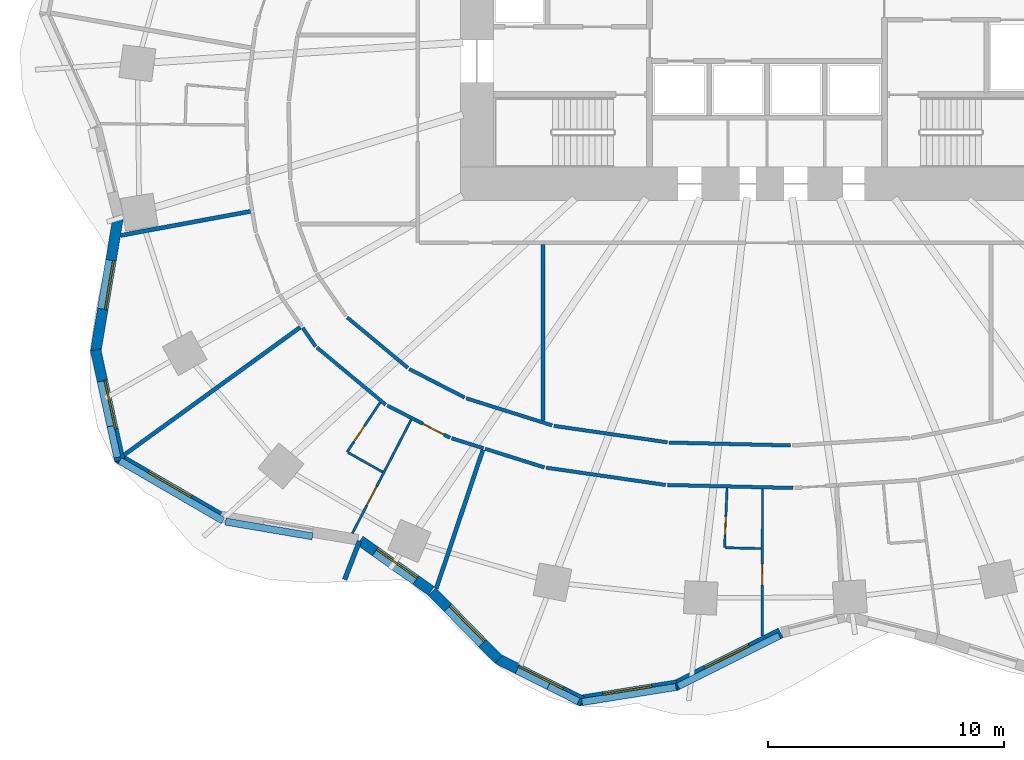
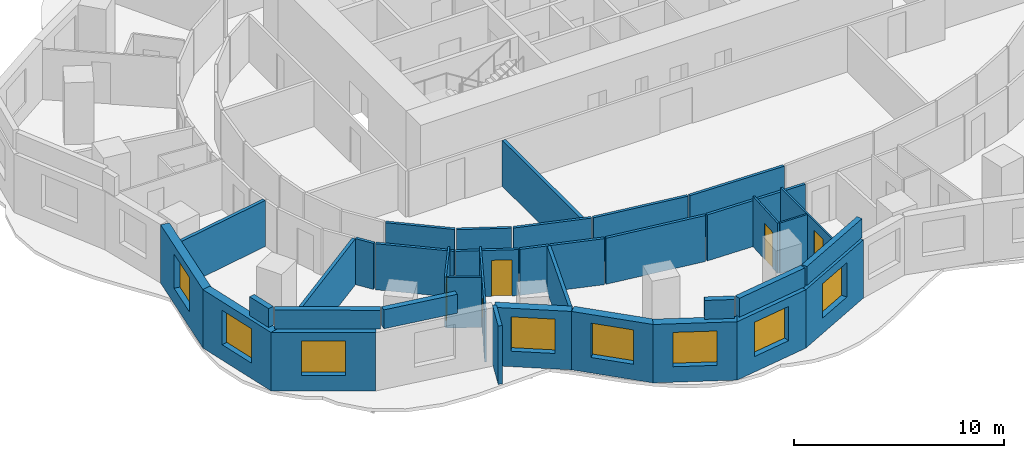
# One storey, part 3 of 11: 37 walls, 8 windows, 5 doors, 13 openings.
"""IFC4 building model written with IfcOpenShell, lengths in metres."""

from ifc_helpers import new_model, si_unit, direction, frame, frame_2d, origin, place, context, subcontext, project, spatial, rectangle, extrude, material, layer, layer_set, type_object, element, fill, save


model = new_model("IFC4")

# Units and contexts
model_context = context("Model", 3, precision=1e-05, world=origin(), true_north=direction((0.0, 1.0)))
body_context = subcontext(model_context, "Body", "Model", "MODEL_VIEW")
ifc_project = project(units=[si_unit("LENGTHUNIT", "METRE"), si_unit("AREAUNIT", "SQUARE_METRE"), si_unit("VOLUMEUNIT", "CUBIC_METRE"), si_unit("PLANEANGLEUNIT", "RADIAN"), si_unit("MASSUNIT", "GRAM", prefix="KILO")], contexts=[model_context])

# Site, building, storey
site_placement = place(None, origin())
site = spatial("IfcSite", under=ifc_project, at=site_placement, CompositionType="ELEMENT")
building_placement = place(site_placement, origin())
building = spatial("IfcBuilding", under=site, at=building_placement, Name="Rubra Terraces Tower", CompositionType="ELEMENT")
storey_placement = place(building_placement, frame((0.0, 0.0, 48.300048828125)))
storey = spatial("IfcBuildingStorey", under=building, at=storey_placement, Name="L09", CompositionType="ELEMENT", Elevation=48.300048828125)

# Walls
ifc_material_1 = material(Name="Twin plasterboard on staggered steel stud, acoustic mineral wool", Category="steel")
ifc_layer_1 = layer(ifc_material_1, 0.175048828125)
ifc_layer_set_1 = layer_set([ifc_layer_1], Name="Twin plasterboard on staggered steel stud, acoustic mineral wool")
wall_type_1 = type_object("IfcWallType", Name="ACOUSTIC PARTY WALL 175", PredefinedType="PARTITIONING", material=ifc_layer_set_1)
wall_1_placement = place(storey_placement, frame((-27.3955078125, -4.491455078125, 0.0), z_axis=(0.0, 0.0, 1.0), x_axis=(0.983238590395, 0.182323543069, 0.0)))
element("IfcWall", 1, at=wall_1_placement, inside=storey, type_object=wall_type_1, Name="PARTITION", PredefinedType="PARTITIONING", context=body_context, shape_type="SweptSolid", body=[
    extrude(rectangle(XDim=5.59716796875, YDim=0.175048828125, at=frame_2d((2.798583984375, 0.0))), origin(), (0.0, 0.0, 1.0), 2.679931640625),
])
wall_2_placement = place(storey_placement, frame((-27.2451171875, -13.793701171875, 0.0), z_axis=(0.0, 0.0, 1.0), x_axis=(0.809549997568, 0.587050935982, 0.0)))
element("IfcWall", 2, at=wall_2_placement, inside=storey, type_object=wall_type_1, Name="PARTITION", PredefinedType="PARTITIONING", context=body_context, shape_type="SweptSolid", body=[
    extrude(rectangle(XDim=9.213623046875, YDim=0.175048828125, at=frame_2d((4.60693359375, 0.0))), origin(), (0.0, 0.0, 1.0), 2.679931640625),
])
wall_3_placement = place(storey_placement, frame((-14.014404296875, -19.44677734375, 0.0), z_axis=(0.0, 0.0, 1.0), x_axis=(0.31884215866, 0.947807827495, 0.0)))
element("IfcWall", 3, at=wall_3_placement, inside=storey, type_object=wall_type_1, Name="PARTITION", PredefinedType="PARTITIONING", context=body_context, shape_type="SweptSolid", body=[
    extrude(rectangle(XDim=6.1884765625, YDim=0.175048828125, at=frame_2d((3.09423828125, 0.0))), origin(), (0.0, 0.0, 1.0), 2.679931640625),
])
wall_4_placement = place(storey_placement, frame((-9.5, -12.34033203125, 0.0), z_axis=(0.0, 0.0, 1.0), x_axis=(0.0, 1.0, 0.0)))
element("IfcWall", 4, at=wall_4_placement, inside=storey, type_object=wall_type_1, Name="PARTITION", PredefinedType="PARTITIONING", context=body_context, shape_type="SweptSolid", body=[
    extrude(rectangle(XDim=7.46533203125, YDim=0.175048828125, at=frame_2d((3.732666015625, 0.0))), origin(), (0.0, 0.0, 1.0), 2.679931640625),
])

# Wall, opening, window
ifc_material_2 = material(Name="Brick masonry red-brown", Category="masonry")
ifc_layer_2 = layer(ifc_material_2, 0.449951171875)
ifc_layer_set_2 = layer_set([ifc_layer_2], Name="Brick masonry red-brown")
wall_type_2 = type_object("IfcWallType", Name="Brick facade wall 450", PredefinedType="SOLIDWALL", material=ifc_layer_set_2)
wall_5_placement = place(storey_placement, frame((-27.50048828125, -3.732177734375, 0.0), z_axis=(0.0, 0.0, 1.0), x_axis=(-0.165174419367, -0.986264371853, 0.0)))
wall_5 = element("IfcWall", 5, at=wall_5_placement, inside=storey, type_object=wall_type_2, Name="Facade wall L09 bay 22", PredefinedType="SOLIDWALL", context=body_context, shape_type="SweptSolid", body=[
    extrude(rectangle(XDim=5.76904296875, YDim=0.449951171875, at=frame_2d((2.884521484375, 0.0))), origin(), (0.0, 0.0, 1.0), 3.39990234375),
])
opening_1_placement = place(wall_5_placement, frame((1.83447265625, 0.0, 0.89990234375)))
opening_1 = element("IfcOpeningElement", 6, at=opening_1_placement, cuts=wall_5, Name="Opening W1", PredefinedType="OPENING", context=body_context, shape_type="SweptSolid", body=[
    extrude(rectangle(XDim=2.10009765625, YDim=2.0, at=frame_2d((1.050048828125, 1.0))), frame((0.0, 0.23486328125, 0.0), z_axis=(0.0, -1.0, 0.0), x_axis=(1.0, 0.0, 0.0)), (0.0, 0.0, 1.0), 0.469970703125),
])
ifc_material_3 = material(Name="Clear glass in aluminium frame", Category="aluminium")
window_type = type_object("IfcWindowType", Name="Fixed deep-set window 2100 x 2000", PartitioningType="SINGLE_PANEL", PredefinedType="WINDOW", material=ifc_material_3)
window_1_placement = place(opening_1_placement, origin())
window_1 = element("IfcWindow", 7, at=window_1_placement, inside=storey, type_object=window_type, Name="Window L09 bay 22", OverallHeight=2.0, OverallWidth=2.10009765625, PartitioningType="SINGLE_PANEL", PredefinedType="WINDOW", context=body_context, shape_type="SweptSolid", body=[
    extrude(rectangle(XDim=2.10009765625, YDim=2.0, at=frame_2d((1.050048828125, 1.0))), frame((0.0, 0.135009765625, 0.0), z_axis=(0.0, -1.0, 0.0), x_axis=(1.0, 0.0, 0.0)), (0.0, 0.0, 1.0), 0.06005859375),
])
fill(opening_1, window_1)

wall_6_placement = place(storey_placement, frame((-28.45556640625, -9.336669921875, 0.0), z_axis=(0.0, 0.0, 1.0), x_axis=(0.213878425795, -0.976860286315, 0.0)))
wall_6 = element("IfcWall", 8, at=wall_6_placement, inside=storey, type_object=wall_type_2, Name="Facade wall L09 bay 23", PredefinedType="SOLIDWALL", context=body_context, shape_type="SweptSolid", body=[
    extrude(rectangle(XDim=4.8125, YDim=0.449951171875, at=frame_2d((2.40625, 0.0))), origin(), (0.0, 0.0, 1.0), 3.39990234375),
])
opening_2_placement = place(wall_6_placement, frame((1.356201171875, 0.0, 0.89990234375)))
opening_2 = element("IfcOpeningElement", 9, at=opening_2_placement, cuts=wall_6, Name="Opening W1", PredefinedType="OPENING", context=body_context, shape_type="SweptSolid", body=[
    extrude(rectangle(XDim=2.10009765625, YDim=2.0, at=frame_2d((1.050048828125, 1.0))), frame((0.0, 0.23486328125, 0.0), z_axis=(0.0, -1.0, 0.0), x_axis=(1.0, 0.0, 0.0)), (0.0, 0.0, 1.0), 0.469970703125),
])
window_2_placement = place(opening_2_placement, origin())
window_2 = element("IfcWindow", 10, at=window_2_placement, inside=storey, type_object=window_type, Name="Window L09 bay 23", OverallHeight=2.0, OverallWidth=2.10009765625, PartitioningType="SINGLE_PANEL", PredefinedType="WINDOW", context=body_context, shape_type="SweptSolid", body=[
    extrude(rectangle(XDim=2.10009765625, YDim=2.0, at=frame_2d((1.050048828125, 1.0))), frame((0.0, 0.135009765625, 0.0), z_axis=(0.0, -1.0, 0.0), x_axis=(1.0, 0.0, 0.0)), (0.0, 0.0, 1.0), 0.06005859375),
])
fill(opening_2, window_2)

wall_7_placement = place(storey_placement, frame((-27.532958984375, -13.891357421875, 0.0), z_axis=(0.0, 0.0, 1.0), x_axis=(0.864657614938, -0.502361631625, 0.0)))
wall_7 = element("IfcWall", 11, at=wall_7_placement, inside=storey, type_object=wall_type_2, Name="Facade wall L09 bay 24", PredefinedType="SOLIDWALL", context=body_context, shape_type="SweptSolid", body=[
    extrude(rectangle(XDim=5.000732421875, YDim=0.449951171875, at=frame_2d((2.50048828125, 0.0))), origin(), (0.0, 0.0, 1.0), 3.39990234375),
])
opening_3_placement = place(wall_7_placement, frame((1.450439453125, 0.0, 0.89990234375)))
opening_3 = element("IfcOpeningElement", 12, at=opening_3_placement, cuts=wall_7, Name="Opening W1", PredefinedType="OPENING", context=body_context, shape_type="SweptSolid", body=[
    extrude(rectangle(XDim=2.10009765625, YDim=2.0, at=frame_2d((1.050048828125, 1.0))), frame((0.0, 0.23486328125, 0.0), z_axis=(0.0, -1.0, 0.0), x_axis=(1.0, 0.0, 0.0)), (0.0, 0.0, 1.0), 0.469970703125),
])
window_3_placement = place(opening_3_placement, origin())
window_3 = element("IfcWindow", 13, at=window_3_placement, inside=storey, type_object=window_type, Name="Window L09 bay 24", OverallHeight=2.0, OverallWidth=2.10009765625, PartitioningType="SINGLE_PANEL", PredefinedType="WINDOW", context=body_context, shape_type="SweptSolid", body=[
    extrude(rectangle(XDim=2.10009765625, YDim=2.0, at=frame_2d((1.050048828125, 1.0))), frame((0.0, 0.135009765625, 0.0), z_axis=(0.0, -1.0, 0.0), x_axis=(1.0, 0.0, 0.0)), (0.0, 0.0, 1.0), 0.06005859375),
])
fill(opening_3, window_3)

wall_8_placement = place(storey_placement, frame((-17.249267578125, -17.421875, 0.0), z_axis=(0.0, 0.0, 1.0), x_axis=(0.816589291225, -0.577219134694, 0.0)))
wall_8 = element("IfcWall", 14, at=wall_8_placement, inside=storey, type_object=wall_type_2, Name="Facade wall L09 bay 26", PredefinedType="SOLIDWALL", context=body_context, shape_type="SweptSolid", body=[
    extrude(rectangle(XDim=3.701416015625, YDim=0.449951171875, at=frame_2d((1.8505859375, 0.0))), origin(), (0.0, 0.0, 1.0), 3.39990234375),
])
opening_4_placement = place(wall_8_placement, frame((0.80078125, 0.0, 0.89990234375)))
opening_4 = element("IfcOpeningElement", 15, at=opening_4_placement, cuts=wall_8, Name="Opening W1", PredefinedType="OPENING", context=body_context, shape_type="SweptSolid", body=[
    extrude(rectangle(XDim=2.10009765625, YDim=2.0, at=frame_2d((1.050048828125, 1.0))), frame((0.0, 0.23486328125, 0.0), z_axis=(0.0, -1.0, 0.0), x_axis=(1.0, 0.0, 0.0)), (0.0, 0.0, 1.0), 0.469970703125),
])
window_4_placement = place(opening_4_placement, origin())
window_4 = element("IfcWindow", 16, at=window_4_placement, inside=storey, type_object=window_type, Name="Window L09 bay 26", OverallHeight=2.0, OverallWidth=2.10009765625, PartitioningType="SINGLE_PANEL", PredefinedType="WINDOW", context=body_context, shape_type="SweptSolid", body=[
    extrude(rectangle(XDim=2.10009765625, YDim=2.0, at=frame_2d((1.050048828125, 1.0))), frame((0.0, 0.135009765625, 0.0), z_axis=(0.0, -1.0, 0.0), x_axis=(1.0, 0.0, 0.0)), (0.0, 0.0, 1.0), 0.06005859375),
])
fill(opening_4, window_4)

wall_9_placement = place(storey_placement, frame((-14.194580078125, -19.584228515625, 0.0), z_axis=(0.0, 0.0, 1.0), x_axis=(0.69962350521, -0.714511687068, 0.0)))
wall_9 = element("IfcWall", 17, at=wall_9_placement, inside=storey, type_object=wall_type_2, Name="Facade wall L09 bay 27", PredefinedType="SOLIDWALL", context=body_context, shape_type="SweptSolid", body=[
    extrude(rectangle(XDim=4.033935546875, YDim=0.449951171875, at=frame_2d((2.01708984375, 0.0))), origin(), (0.0, 0.0, 1.0), 3.39990234375),
])
opening_5_placement = place(wall_9_placement, frame((0.967041015625, 0.0, 0.89990234375)))
opening_5 = element("IfcOpeningElement", 18, at=opening_5_placement, cuts=wall_9, Name="Opening W1", PredefinedType="OPENING", context=body_context, shape_type="SweptSolid", body=[
    extrude(rectangle(XDim=2.10009765625, YDim=2.0, at=frame_2d((1.050048828125, 1.0))), frame((0.0, 0.23486328125, 0.0), z_axis=(0.0, -1.0, 0.0), x_axis=(1.0, 0.0, 0.0)), (0.0, 0.0, 1.0), 0.469970703125),
])
window_5_placement = place(opening_5_placement, origin())
window_5 = element("IfcWindow", 19, at=window_5_placement, inside=storey, type_object=window_type, Name="Window L09 bay 27", OverallHeight=2.0, OverallWidth=2.10009765625, PartitioningType="SINGLE_PANEL", PredefinedType="WINDOW", context=body_context, shape_type="SweptSolid", body=[
    extrude(rectangle(XDim=2.10009765625, YDim=2.0, at=frame_2d((1.050048828125, 1.0))), frame((0.0, 0.135009765625, 0.0), z_axis=(0.0, -1.0, 0.0), x_axis=(1.0, 0.0, 0.0)), (0.0, 0.0, 1.0), 0.06005859375),
])
fill(opening_5, window_5)

wall_10_placement = place(storey_placement, frame((-11.427978515625, -22.427001953125, 0.0), z_axis=(0.0, 0.0, 1.0), x_axis=(0.893343208735, -0.449375023122, 0.0)))
wall_10 = element("IfcWall", 20, at=wall_10_placement, inside=storey, type_object=wall_type_2, Name="Facade wall L09 bay 28", PredefinedType="SOLIDWALL", context=body_context, shape_type="SweptSolid", body=[
    extrude(rectangle(XDim=4.018798828125, YDim=0.449951171875, at=frame_2d((2.00927734375, 0.0))), origin(), (0.0, 0.0, 1.0), 3.39990234375),
])
opening_6_placement = place(wall_10_placement, frame((0.959228515625, 0.0, 0.89990234375)))
opening_6 = element("IfcOpeningElement", 21, at=opening_6_placement, cuts=wall_10, Name="Opening W1", PredefinedType="OPENING", context=body_context, shape_type="SweptSolid", body=[
    extrude(rectangle(XDim=2.10009765625, YDim=2.0, at=frame_2d((1.050048828125, 1.0))), frame((0.0, 0.23486328125, 0.0), z_axis=(0.0, -1.0, 0.0), x_axis=(1.0, 0.0, 0.0)), (0.0, 0.0, 1.0), 0.469970703125),
])
window_6_placement = place(opening_6_placement, origin())
window_6 = element("IfcWindow", 22, at=window_6_placement, inside=storey, type_object=window_type, Name="Window L09 bay 28", OverallHeight=2.0, OverallWidth=2.10009765625, PartitioningType="SINGLE_PANEL", PredefinedType="WINDOW", context=body_context, shape_type="SweptSolid", body=[
    extrude(rectangle(XDim=2.10009765625, YDim=2.0, at=frame_2d((1.050048828125, 1.0))), frame((0.0, 0.135009765625, 0.0), z_axis=(0.0, -1.0, 0.0), x_axis=(1.0, 0.0, 0.0)), (0.0, 0.0, 1.0), 0.06005859375),
])
fill(opening_6, window_6)

wall_11_placement = place(storey_placement, frame((-7.974609375, -24.2119140625, 0.0), z_axis=(0.0, 0.0, 1.0), x_axis=(0.987470607744, 0.157803038125, 0.0)))
wall_11 = element("IfcWall", 23, at=wall_11_placement, inside=storey, type_object=wall_type_2, Name="Facade wall L09 bay 29", PredefinedType="SOLIDWALL", context=body_context, shape_type="SweptSolid", body=[
    extrude(rectangle(XDim=4.2158203125, YDim=0.449951171875, at=frame_2d((2.10791015625, 0.0))), origin(), (0.0, 0.0, 1.0), 3.39990234375),
])
opening_7_placement = place(wall_11_placement, frame((1.057861328125, 0.0, 0.89990234375)))
opening_7 = element("IfcOpeningElement", 24, at=opening_7_placement, cuts=wall_11, Name="Opening W1", PredefinedType="OPENING", context=body_context, shape_type="SweptSolid", body=[
    extrude(rectangle(XDim=2.10009765625, YDim=2.0, at=frame_2d((1.050048828125, 1.0))), frame((0.0, 0.23486328125, 0.0), z_axis=(0.0, -1.0, 0.0), x_axis=(1.0, 0.0, 0.0)), (0.0, 0.0, 1.0), 0.469970703125),
])
window_7_placement = place(opening_7_placement, origin())
window_7 = element("IfcWindow", 25, at=window_7_placement, inside=storey, type_object=window_type, Name="Window L09 bay 29", OverallHeight=2.0, OverallWidth=2.10009765625, PartitioningType="SINGLE_PANEL", PredefinedType="WINDOW", context=body_context, shape_type="SweptSolid", body=[
    extrude(rectangle(XDim=2.10009765625, YDim=2.0, at=frame_2d((1.050048828125, 1.0))), frame((0.0, 0.135009765625, 0.0), z_axis=(0.0, -1.0, 0.0), x_axis=(1.0, 0.0, 0.0)), (0.0, 0.0, 1.0), 0.06005859375),
])
fill(opening_7, window_7)

wall_12_placement = place(storey_placement, frame((-3.876708984375, -23.567626953125, 0.0), z_axis=(0.0, 0.0, 1.0), x_axis=(0.894241088759, 0.447585606532, 0.0)))
wall_12 = element("IfcWall", 26, at=wall_12_placement, inside=storey, type_object=wall_type_2, Name="Facade wall L09 bay 30", PredefinedType="SOLIDWALL", context=body_context, shape_type="SweptSolid", body=[
    extrude(rectangle(XDim=4.987060546875, YDim=0.449951171875, at=frame_2d((2.49365234375, 0.0))), origin(), (0.0, 0.0, 1.0), 3.39990234375),
])
opening_8_placement = place(wall_12_placement, frame((1.443603515625, 0.0, 0.89990234375)))
opening_8 = element("IfcOpeningElement", 27, at=opening_8_placement, cuts=wall_12, Name="Opening W1", PredefinedType="OPENING", context=body_context, shape_type="SweptSolid", body=[
    extrude(rectangle(XDim=2.10009765625, YDim=2.0, at=frame_2d((1.050048828125, 1.0))), frame((0.0, 0.23486328125, 0.0), z_axis=(0.0, -1.0, 0.0), x_axis=(1.0, 0.0, 0.0)), (0.0, 0.0, 1.0), 0.469970703125),
])
window_8_placement = place(opening_8_placement, origin())
window_8 = element("IfcWindow", 28, at=window_8_placement, inside=storey, type_object=window_type, Name="Window L09 bay 30", OverallHeight=2.0, OverallWidth=2.10009765625, PartitioningType="SINGLE_PANEL", PredefinedType="WINDOW", context=body_context, shape_type="SweptSolid", body=[
    extrude(rectangle(XDim=2.10009765625, YDim=2.0, at=frame_2d((1.050048828125, 1.0))), frame((0.0, 0.135009765625, 0.0), z_axis=(0.0, -1.0, 0.0), x_axis=(1.0, 0.0, 0.0)), (0.0, 0.0, 1.0), 0.06005859375),
])
fill(opening_8, window_8)

# Walls
ifc_layer_3 = layer(ifc_material_2, 0.300048828125)
ifc_layer_set_3 = layer_set([ifc_layer_3], Name="Brick masonry red-brown")
wall_type_3 = type_object("IfcWallType", Name="Brick parapet 300", PredefinedType="PARAPET", material=ifc_layer_set_3)
wall_13_placement = place(storey_placement, frame((-27.82275390625, -12.577392578125, 3.599853515625), z_axis=(0.0, 0.0, 1.0), x_axis=(0.213826357694, -0.976871684898, 0.0)))
element("IfcWall", 29, at=wall_13_placement, inside=storey, type_object=wall_type_3, Name="Parapet L09 bay 23", PredefinedType="PARAPET", context=body_context, shape_type="SweptSolid", body=[
    extrude(rectangle(XDim=1.349609375, YDim=0.300048828125, at=frame_2d((0.6748046875, 0.0))), origin(), (0.0, 0.0, 1.0), 1.10009765625),
])
wall_14_placement = place(storey_placement, frame((-27.4306640625, -14.03759765625, 3.599853515625), z_axis=(0.0, 0.0, 1.0), x_axis=(0.864664590165, -0.502349625773, 0.0)))
element("IfcWall", 30, at=wall_14_placement, inside=storey, type_object=wall_type_3, Name="Parapet L09 bay 24", PredefinedType="PARAPET", context=body_context, shape_type="SweptSolid", body=[
    extrude(rectangle(XDim=5.061279296875, YDim=0.300048828125, at=frame_2d((2.53076171875, 0.0))), origin(), (0.0, 0.0, 1.0), 1.10009765625),
])
wall_15_placement = place(storey_placement, frame((-22.94873046875, -16.6181640625, 3.599853515625), z_axis=(0.0, 0.0, 1.0), x_axis=(0.985859727788, -0.167572662229, 0.0)))
element("IfcWall", 31, at=wall_15_placement, inside=storey, type_object=wall_type_3, Name="Parapet L09 bay 25", PredefinedType="PARAPET", context=body_context, shape_type="SweptSolid", body=[
    extrude(rectangle(XDim=3.741455078125, YDim=0.300048828125, at=frame_2d((1.87060546875, 0.0))), origin(), (0.0, 0.0, 1.0), 1.10009765625),
])
wall_16_placement = place(storey_placement, frame((-9.26708984375, -23.597900390625, 3.599853515625), z_axis=(0.0, 0.0, 1.0), x_axis=(0.893335936782, -0.449389479242, 0.0)))
element("IfcWall", 32, at=wall_16_placement, inside=storey, type_object=wall_type_3, Name="Parapet L09 bay 28", PredefinedType="PARAPET", context=body_context, shape_type="SweptSolid", body=[
    extrude(rectangle(XDim=1.435302734375, YDim=0.300048828125, at=frame_2d((0.7177734375, 0.0))), origin(), (0.0, 0.0, 1.0), 1.10009765625),
])
wall_17_placement = place(storey_placement, frame((-7.83740234375, -24.265869140625, 3.599853515625), z_axis=(0.0, 0.0, 1.0), x_axis=(0.987476564543, 0.157765758254, 0.0)))
element("IfcWall", 33, at=wall_17_placement, inside=storey, type_object=wall_type_3, Name="Parapet L09 bay 29", PredefinedType="PARAPET", context=body_context, shape_type="SweptSolid", body=[
    extrude(rectangle(XDim=4.02490234375, YDim=0.300048828125, at=frame_2d((2.012451171875, 0.0))), origin(), (0.0, 0.0, 1.0), 1.10009765625),
])
wall_18_placement = place(storey_placement, frame((-3.762939453125, -23.5986328125, 3.599853515625), z_axis=(0.0, 0.0, 1.0), x_axis=(0.894243576514, 0.447580636158, 0.0)))
element("IfcWall", 34, at=wall_18_placement, inside=storey, type_object=wall_type_3, Name="Parapet L09 bay 30", PredefinedType="PARAPET", context=body_context, shape_type="SweptSolid", body=[
    extrude(rectangle(XDim=4.78857421875, YDim=0.300048828125, at=frame_2d((2.394287109375, 0.0))), origin(), (0.0, 0.0, 1.0), 1.10009765625),
])
ifc_layer_4 = layer(ifc_material_2, 0.199951171875)
ifc_layer_set_4 = layer_set([ifc_layer_4], Name="Brick masonry red-brown")
wall_type_4 = type_object("IfcWallType", Name="Brick wind fin 200", PredefinedType="SOLIDWALL", material=ifc_layer_set_4)
wall_19_placement = place(storey_placement, frame((-17.26904296875, -17.43994140625, 0.0), z_axis=(0.0, 0.0, 1.0), x_axis=(-0.359381039836, -0.933190906624, 0.0)))
element("IfcWall", 35, at=wall_19_placement, inside=storey, type_object=wall_type_4, Name="Wind fin L09 16", PredefinedType="SOLIDWALL", context=body_context, shape_type="SweptSolid", body=[
    extrude(rectangle(XDim=1.75, YDim=0.199951171875, at=frame_2d((0.875, 0.0))), origin(), (0.0, 0.0, 1.0), 3.39990234375),
])
ifc_material_4 = material(Name="Plasterboard on steel stud, mineral wool infill", Category="steel")
ifc_layer_5 = layer(ifc_material_4, 0.14990234375)
ifc_layer_set_5 = layer_set([ifc_layer_5], Name="Plasterboard on steel stud, mineral wool infill")
wall_type_5 = type_object("IfcWallType", Name="CORRIDOR PARTITION 150", PredefinedType="PARTITIONING", material=ifc_layer_set_5)
wall_20_placement = place(storey_placement, frame((-19.6826171875, -8.40234375, 0.0), z_axis=(0.0, 0.0, 1.0), x_axis=(0.571250030839, -0.820776097524, 0.0)))
element("IfcWall", 36, at=wall_20_placement, inside=storey, type_object=wall_type_5, Name="PARTITION", PredefinedType="PARTITIONING", context=body_context, shape_type="SweptSolid", body=[
    extrude(rectangle(XDim=0.963623046875, YDim=0.14990234375, at=frame_2d((0.48193359375, 0.0))), origin(), (0.0, 0.0, 1.0), 2.679931640625),
])
wall_21_placement = place(storey_placement, frame((-19.07421875, -9.2412109375, 0.0), z_axis=(0.0, 0.0, 1.0), x_axis=(0.768812565259, -0.639474189863, 0.0)))
element("IfcWall", 37, at=wall_21_placement, inside=storey, type_object=wall_type_5, Name="PARTITION", PredefinedType="PARTITIONING", context=body_context, shape_type="SweptSolid", body=[
    extrude(rectangle(XDim=3.788330078125, YDim=0.14990234375, at=frame_2d((1.89404296875, 0.0))), origin(), (0.0, 0.0, 1.0), 2.679931640625),
])

# Wall, opening, door
wall_22_placement = place(storey_placement, frame((-16.094970703125, -11.697998046875, 0.0), z_axis=(0.0, 0.0, 1.0), x_axis=(0.88955984693, -0.456818649717, 0.0)))
wall_22 = element("IfcWall", 38, at=wall_22_placement, inside=storey, type_object=wall_type_5, Name="PARTITION", PredefinedType="PARTITIONING", context=body_context, shape_type="SweptSolid", body=[
    extrude(rectangle(XDim=2.9912109375, YDim=0.14990234375, at=frame_2d((1.49560546875, 0.0))), origin(), (0.0, 0.0, 1.0), 2.679931640625),
])
opening_9_placement = place(wall_22_placement, frame((1.699951171875, 0.0, 0.0)))
opening_9 = element("IfcOpeningElement", 39, at=opening_9_placement, cuts=wall_22, Name="Opening 09-116", PredefinedType="OPENING", context=body_context, shape_type="SweptSolid", body=[
    extrude(rectangle(XDim=1.0, YDim=2.10009765625, at=frame_2d((0.5, 1.050048828125))), frame((0.0, 0.0849609375, 0.0), z_axis=(0.0, -1.0, 0.0), x_axis=(1.0, 0.0, 0.0)), (0.0, 0.0, 1.0), 0.169921875),
])
ifc_material_5 = material(Name="Painted timber door leaf", Category="wood")
door_type_1 = type_object("IfcDoorType", Name="ROOM DOOR 1000 X 2100", OperationType="SINGLE_SWING_LEFT", PredefinedType="DOOR", material=ifc_material_5)
door_1_placement = place(opening_9_placement, origin())
door_1 = element("IfcDoor", 40, at=door_1_placement, inside=storey, type_object=door_type_1, Name="DOOR 09-116", OperationType="SINGLE_SWING_RIGHT", OverallHeight=2.10009765625, OverallWidth=1.0, PredefinedType="DOOR", context=body_context, shape_type="SweptSolid", body=[
    extrude(rectangle(XDim=1.0, YDim=2.10009765625, at=frame_2d((0.5, 1.050048828125))), frame((0.0, 0.02490234375, 0.0), z_axis=(0.0, -1.0, 0.0), x_axis=(1.0, 0.0, 0.0)), (0.0, 0.0, 1.0), 0.050048828125),
])
fill(opening_9, door_1)

# Walls
wall_23_placement = place(storey_placement, frame((-13.36279296875, -13.0869140625, 0.0), z_axis=(0.0, 0.0, 1.0), x_axis=(0.95389606241, -0.300137138853, 0.0)))
element("IfcWall", 41, at=wall_23_placement, inside=storey, type_object=wall_type_5, Name="PARTITION", PredefinedType="PARTITIONING", context=body_context, shape_type="SweptSolid", body=[
    extrude(rectangle(XDim=1.410400390625, YDim=0.14990234375, at=frame_2d((0.705078125, 0.0))), origin(), (0.0, 0.0, 1.0), 2.679931640625),
])
wall_24_placement = place(storey_placement, frame((-11.94580078125, -13.53271484375, 0.0), z_axis=(0.0, 0.0, 1.0), x_axis=(0.95388072649, -0.300185875136, 0.0)))
element("IfcWall", 42, at=wall_24_placement, inside=storey, type_object=wall_type_5, Name="PARTITION", PredefinedType="PARTITIONING", context=body_context, shape_type="SweptSolid", body=[
    extrude(rectangle(XDim=2.632568359375, YDim=0.14990234375, at=frame_2d((1.31640625, 0.0))), origin(), (0.0, 0.0, 1.0), 2.679931640625),
])
wall_25_placement = place(storey_placement, frame((-9.3603515625, -14.33349609375, 0.0), z_axis=(0.0, 0.0, 1.0), x_axis=(0.989708543436, -0.143097865286, 0.0)))
element("IfcWall", 43, at=wall_25_placement, inside=storey, type_object=wall_type_5, Name="PARTITION", PredefinedType="PARTITIONING", context=body_context, shape_type="SweptSolid", body=[
    extrude(rectangle(XDim=5.11669921875, YDim=0.14990234375, at=frame_2d((2.558349609375, 0.0))), origin(), (0.0, 0.0, 1.0), 2.679931640625),
])
wall_26_placement = place(storey_placement, frame((-4.221435546875, -15.0673828125, 0.0), z_axis=(0.0, 0.0, 1.0), x_axis=(0.999716725606, -0.023800599639, 0.0)))
element("IfcWall", 44, at=wall_26_placement, inside=storey, type_object=wall_type_5, Name="PARTITION", PredefinedType="PARTITIONING", context=body_context, shape_type="SweptSolid", body=[
    extrude(rectangle(XDim=5.333984375, YDim=0.14990234375, at=frame_2d((2.6669921875, 0.0))), origin(), (0.0, 0.0, 1.0), 2.679931640625),
])
wall_27_placement = place(storey_placement, frame((1.00048828125, -13.39111328125, 0.0), z_axis=(0.0, 0.0, 1.0), x_axis=(-0.999717667096, 0.023761020505, 0.0)))
element("IfcWall", 45, at=wall_27_placement, inside=storey, type_object=wall_type_5, Name="PARTITION", PredefinedType="PARTITIONING", context=body_context, shape_type="SweptSolid", body=[
    extrude(rectangle(XDim=5.147705078125, YDim=0.14990234375, at=frame_2d((2.57373046875, 0.0))), origin(), (0.0, 0.0, 1.0), 2.679931640625),
])
wall_28_placement = place(storey_placement, frame((-4.219970703125, -13.258056640625, 0.0), z_axis=(0.0, 0.0, 1.0), x_axis=(-0.98971114365, 0.143079880258, 0.0)))
element("IfcWall", 46, at=wall_28_placement, inside=storey, type_object=wall_type_5, Name="PARTITION", PredefinedType="PARTITIONING", context=body_context, shape_type="SweptSolid", body=[
    extrude(rectangle(XDim=4.863037109375, YDim=0.14990234375, at=frame_2d((2.431640625, 0.0))), origin(), (0.0, 0.0, 1.0), 2.679931640625),
])
wall_29_placement = place(storey_placement, frame((-9.1044921875, -12.539794921875, 0.0), z_axis=(0.0, 0.0, 1.0), x_axis=(-0.953891280763, 0.300152335464, 0.0)))
element("IfcWall", 47, at=wall_29_placement, inside=storey, type_object=wall_type_5, Name="PARTITION", PredefinedType="PARTITIONING", context=body_context, shape_type="SweptSolid", body=[
    extrude(rectangle(XDim=3.819580078125, YDim=0.14990234375, at=frame_2d((1.90966796875, 0.0))), origin(), (0.0, 0.0, 1.0), 2.679931640625),
])
wall_30_placement = place(storey_placement, frame((-12.814697265625, -11.35888671875, 0.0), z_axis=(0.0, 0.0, 1.0), x_axis=(-0.889622877315, 0.456695890236, 0.0)))
element("IfcWall", 48, at=wall_30_placement, inside=storey, type_object=wall_type_5, Name="PARTITION", PredefinedType="PARTITIONING", context=body_context, shape_type="SweptSolid", body=[
    extrude(rectangle(XDim=2.6396484375, YDim=0.14990234375, at=frame_2d((1.31982421875, 0.0))), origin(), (0.0, 0.0, 1.0), 2.679931640625),
])
wall_31_placement = place(storey_placement, frame((-15.220703125, -10.105224609375, 0.0), z_axis=(0.0, 0.0, 1.0), x_axis=(-0.768812916989, 0.639473766992, 0.0)))
element("IfcWall", 49, at=wall_31_placement, inside=storey, type_object=wall_type_5, Name="PARTITION", PredefinedType="PARTITIONING", context=body_context, shape_type="SweptSolid", body=[
    extrude(rectangle(XDim=3.3466796875, YDim=0.14990234375, at=frame_2d((1.67333984375, 0.0))), origin(), (0.0, 0.0, 1.0), 2.679931640625),
])

# Wall, opening, door
ifc_material_6 = material(Name="Plasterboard on steel stud", Category="steel")
ifc_layer_6 = layer(ifc_material_6, 0.10009765625)
ifc_layer_set_6 = layer_set([ifc_layer_6], Name="Plasterboard on steel stud")
wall_type_6 = type_object("IfcWallType", Name="ROOM PARTITION 100", PredefinedType="PARTITIONING", material=ifc_layer_set_6)
wall_32_placement = place(storey_placement, frame((-17.57470703125, -17.118408203125, 0.0), z_axis=(0.0, 0.0, 1.0), x_axis=(0.459775633783, 0.888035115623, 0.0)))
wall_32 = element("IfcWall", 50, at=wall_32_placement, inside=storey, type_object=wall_type_6, Name="PARTITION", PredefinedType="PARTITIONING", context=body_context, shape_type="SweptSolid", body=[
    extrude(rectangle(XDim=5.422607421875, YDim=0.10009765625, at=frame_2d((2.71142578125, 0.0))), origin(), (0.0, 0.0, 1.0), 2.933837890625),
])
opening_10_placement = place(wall_32_placement, frame((1.347900390625, 0.0, 0.0)))
opening_10 = element("IfcOpeningElement", 51, at=opening_10_placement, cuts=wall_32, Name="Opening 09-115", PredefinedType="OPENING", context=body_context, shape_type="SweptSolid", body=[
    extrude(rectangle(XDim=0.89990234375, YDim=2.39990234375, at=frame_2d((0.449951171875, 1.199951171875))), frame((0.0, 0.06005859375, 0.0), z_axis=(0.0, -1.0, 0.0), x_axis=(1.0, 0.0, 0.0)), (0.0, 0.0, 1.0), 0.1201171875),
])
ifc_material_7 = material(Name="Veneered timber door leaf, fire-rated", Category="wood")
door_type_2 = type_object("IfcDoorType", Name="SUITE ENTRANCE DOOR 900 X 2400", OperationType="SINGLE_SWING_LEFT", PredefinedType="DOOR", material=ifc_material_7)
door_2_placement = place(opening_10_placement, origin())
door_2 = element("IfcDoor", 52, at=door_2_placement, inside=storey, type_object=door_type_2, Name="DOOR 09-115", OperationType="SINGLE_SWING_LEFT", OverallHeight=2.39990234375, OverallWidth=0.89990234375, PredefinedType="DOOR", context=body_context, shape_type="SweptSolid", body=[
    extrude(rectangle(XDim=0.89990234375, YDim=2.39990234375, at=frame_2d((0.449951171875, 1.199951171875))), frame((0.0, 0.02490234375, 0.0), z_axis=(0.0, -1.0, 0.0), x_axis=(1.0, 0.0, 0.0)), (0.0, 0.0, 1.0), 0.050048828125),
])
fill(opening_10, door_2)

wall_33_placement = place(storey_placement, frame((-16.393310546875, -11.568115234375, 0.0), z_axis=(0.0, 0.0, 1.0), x_axis=(-0.555949061639, -0.831216362245, 0.0)))
wall_33 = element("IfcWall", 53, at=wall_33_placement, inside=storey, type_object=wall_type_6, Name="PARTITION", PredefinedType="PARTITIONING", context=body_context, shape_type="SweptSolid", body=[
    extrude(rectangle(XDim=2.525146484375, YDim=0.10009765625, at=frame_2d((1.2626953125, 0.0))), origin(), (0.0, 0.0, 1.0), 2.933837890625),
])
opening_11_placement = place(wall_33_placement, frame((1.199951171875, 0.0, 0.0)))
opening_11 = element("IfcOpeningElement", 54, at=opening_11_placement, cuts=wall_33, Name="Opening 09-114", PredefinedType="OPENING", context=body_context, shape_type="SweptSolid", body=[
    extrude(rectangle(XDim=0.800048828125, YDim=2.10009765625, at=frame_2d((0.39990234375, 1.050048828125))), frame((0.0, 0.06005859375, 0.0), z_axis=(0.0, -1.0, 0.0), x_axis=(1.0, 0.0, 0.0)), (0.0, 0.0, 1.0), 0.1201171875),
])
door_type_3 = type_object("IfcDoorType", Name="BATHROOM DOOR 800 X 2100", OperationType="SINGLE_SWING_LEFT", PredefinedType="DOOR", material=ifc_material_5)
door_3_placement = place(opening_11_placement, origin())
door_3 = element("IfcDoor", 55, at=door_3_placement, inside=storey, type_object=door_type_3, Name="DOOR 09-114", OperationType="SINGLE_SWING_LEFT", OverallHeight=2.10009765625, OverallWidth=0.800048828125, PredefinedType="DOOR", context=body_context, shape_type="SweptSolid", body=[
    extrude(rectangle(XDim=0.800048828125, YDim=2.10009765625, at=frame_2d((0.39990234375, 1.050048828125))), frame((0.0, 0.02490234375, 0.0), z_axis=(0.0, -1.0, 0.0), x_axis=(1.0, 0.0, 0.0)), (0.0, 0.0, 1.0), 0.050048828125),
])
fill(opening_11, door_3)

# Wall
wall_34_placement = place(storey_placement, frame((-17.753662109375, -13.691650390625, 0.0), z_axis=(0.0, 0.0, 1.0), x_axis=(0.870754296655, -0.491718369452, 0.0)))
element("IfcWall", 56, at=wall_34_placement, inside=storey, type_object=wall_type_6, Name="PARTITION", PredefinedType="PARTITIONING", context=body_context, shape_type="SweptSolid", body=[
    extrude(rectangle(XDim=1.685546875, YDim=0.10009765625, at=frame_2d((0.8427734375, 0.0))), origin(), (0.0, 0.0, 1.0), 2.933837890625),
])

# Wall, opening, door
wall_35_placement = place(storey_placement, frame((-0.202880859375, -21.472900390625, 0.0), z_axis=(0.0, 0.0, 1.0), x_axis=(0.00203625689, 0.999997926827, 0.0)))
wall_35 = element("IfcWall", 57, at=wall_35_placement, inside=storey, type_object=wall_type_6, Name="PARTITION", PredefinedType="PARTITIONING", context=body_context, shape_type="SweptSolid", body=[
    extrude(rectangle(XDim=6.234619140625, YDim=0.10009765625, at=frame_2d((3.1171875, 0.0))), origin(), (0.0, 0.0, 1.0), 2.933837890625),
])
opening_12_placement = place(wall_35_placement, frame((2.158935546875, 0.0, 0.0)))
opening_12 = element("IfcOpeningElement", 58, at=opening_12_placement, cuts=wall_35, Name="Opening 09-118", PredefinedType="OPENING", context=body_context, shape_type="SweptSolid", body=[
    extrude(rectangle(XDim=0.89990234375, YDim=2.39990234375, at=frame_2d((0.449951171875, 1.199951171875))), frame((0.0, 0.06005859375, 0.0), z_axis=(0.0, -1.0, 0.0), x_axis=(1.0, 0.0, 0.0)), (0.0, 0.0, 1.0), 0.1201171875),
])
door_4_placement = place(opening_12_placement, origin())
door_4 = element("IfcDoor", 59, at=door_4_placement, inside=storey, type_object=door_type_2, Name="DOOR 09-118", OperationType="SINGLE_SWING_LEFT", OverallHeight=2.39990234375, OverallWidth=0.89990234375, PredefinedType="DOOR", context=body_context, shape_type="SweptSolid", body=[
    extrude(rectangle(XDim=0.89990234375, YDim=2.39990234375, at=frame_2d((0.449951171875, 1.199951171875))), frame((0.0, 0.02490234375, 0.0), z_axis=(0.0, -1.0, 0.0), x_axis=(1.0, 0.0, 0.0)), (0.0, 0.0, 1.0), 0.050048828125),
])
fill(opening_12, door_4)

wall_36_placement = place(storey_placement, frame((-1.692626953125, -15.20263671875, 0.0), z_axis=(0.0, 0.0, 1.0), x_axis=(-0.041867833866, -0.999123157818, 0.0)))
wall_36 = element("IfcWall", 60, at=wall_36_placement, inside=storey, type_object=wall_type_6, Name="PARTITION", PredefinedType="PARTITIONING", context=body_context, shape_type="SweptSolid", body=[
    extrude(rectangle(XDim=2.52490234375, YDim=0.10009765625, at=frame_2d((1.262451171875, 0.0))), origin(), (0.0, 0.0, 1.0), 2.933837890625),
])
opening_13_placement = place(wall_36_placement, frame((1.199951171875, 0.0, 0.0)))
opening_13 = element("IfcOpeningElement", 61, at=opening_13_placement, cuts=wall_36, Name="Opening 09-117", PredefinedType="OPENING", context=body_context, shape_type="SweptSolid", body=[
    extrude(rectangle(XDim=0.800048828125, YDim=2.10009765625, at=frame_2d((0.39990234375, 1.050048828125))), frame((0.0, 0.06005859375, 0.0), z_axis=(0.0, -1.0, 0.0), x_axis=(1.0, 0.0, 0.0)), (0.0, 0.0, 1.0), 0.1201171875),
])
door_5_placement = place(opening_13_placement, origin())
door_5 = element("IfcDoor", 62, at=door_5_placement, inside=storey, type_object=door_type_3, Name="DOOR 09-117", OperationType="SINGLE_SWING_LEFT", OverallHeight=2.10009765625, OverallWidth=0.800048828125, PredefinedType="DOOR", context=body_context, shape_type="SweptSolid", body=[
    extrude(rectangle(XDim=0.800048828125, YDim=2.10009765625, at=frame_2d((0.39990234375, 1.050048828125))), frame((0.0, 0.02490234375, 0.0), z_axis=(0.0, -1.0, 0.0), x_axis=(1.0, 0.0, 0.0)), (0.0, 0.0, 1.0), 0.050048828125),
])
fill(opening_13, door_5)

# Wall
wall_37_placement = place(storey_placement, frame((-1.748291015625, -17.7265625, 0.0), z_axis=(0.0, 0.0, 1.0), x_axis=(0.99971887768, -0.023710031862, 0.0)))
element("IfcWall", 63, at=wall_37_placement, inside=storey, type_object=wall_type_6, Name="PARTITION", PredefinedType="PARTITIONING", context=body_context, shape_type="SweptSolid", body=[
    extrude(rectangle(XDim=1.50341796875, YDim=0.10009765625, at=frame_2d((0.751708984375, 0.0))), origin(), (0.0, 0.0, 1.0), 2.933837890625),
])

save(model, "model.ifc")
